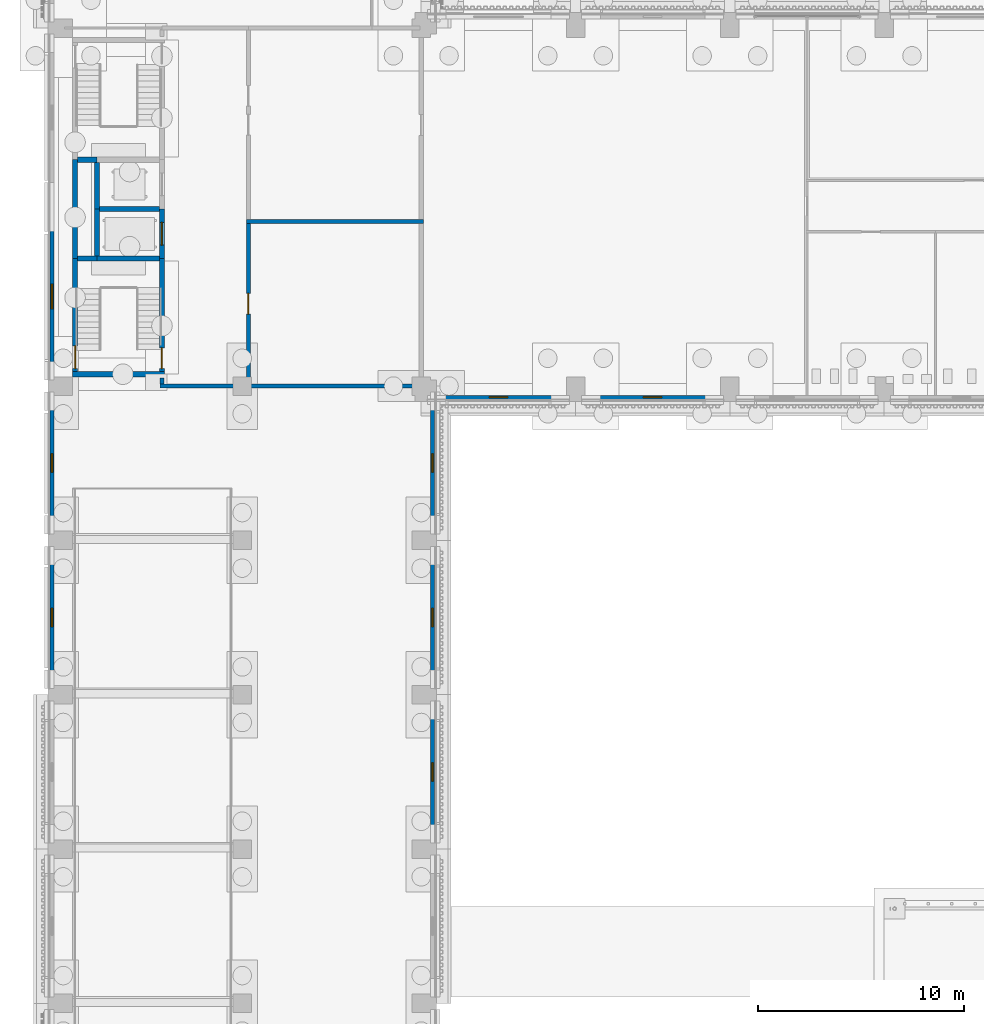
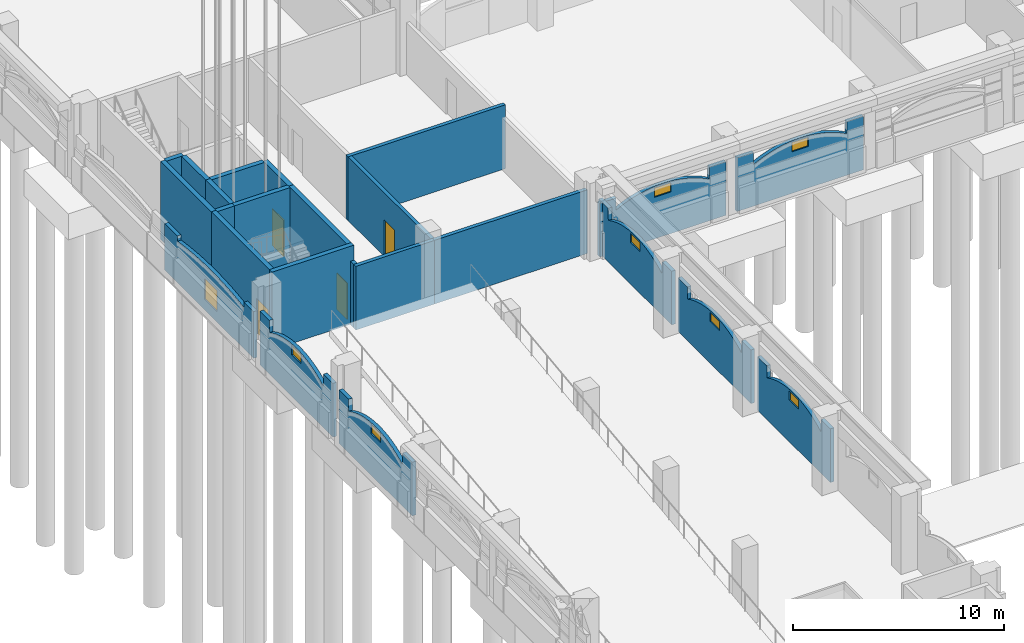
# One storey, part 32 of 99: 24 walls, 8 windows, 4 doors, 12 openings.
"""IFC4 building model written with IfcOpenShell, lengths in metres."""

from ifc_helpers import new_model, si_unit, direction, frame, frame_2d, origin, place, context, subcontext, project, spatial, polyline, rectangle, outline, extrude, material, layer, layer_set, type_object, element, fill, save


model = new_model("IFC4")

# Units and contexts
model_context = context("Model", 3, precision=1e-05, world=origin(), true_north=direction((0.0, 1.0)))
body_context = subcontext(model_context, "Body", "Model", "MODEL_VIEW")
ifc_project = project(units=[si_unit("LENGTHUNIT", "METRE"), si_unit("AREAUNIT", "SQUARE_METRE"), si_unit("VOLUMEUNIT", "CUBIC_METRE"), si_unit("PLANEANGLEUNIT", "RADIAN"), si_unit("MASSUNIT", "GRAM", prefix="KILO")], contexts=[model_context])

# Site, building, storey
site_placement = place(None, origin())
site = spatial("IfcSite", under=ifc_project, at=site_placement, CompositionType="ELEMENT")
building_placement = place(site_placement, origin())
building = spatial("IfcBuilding", under=site, at=building_placement, Name="Cour d'Honneur Mobility Palace", CompositionType="ELEMENT")
storey_placement = place(building_placement, origin())
storey = spatial("IfcBuildingStorey", under=building, at=storey_placement, Name="L00", CompositionType="ELEMENT", Elevation=0.0)

# Wall, opening, window
ifc_material_1 = material(Name="Concrete C40", Category="concrete")
ifc_layer_1 = layer(ifc_material_1, 0.199951171875)
ifc_layer_set_1 = layer_set([ifc_layer_1], Name="Concrete C40")
wall_type_1 = type_object("IfcWallType", Name="Arch infill panel", PredefinedType="SOLIDWALL", material=ifc_layer_set_1)
wall_1_placement = place(storey_placement, frame((17.949951171875, 22.800048828125, 0.0), z_axis=(0.0, 0.0, 1.0), x_axis=(0.0, 1.0, 0.0)))
wall_1 = element("IfcWall", 1, at=wall_1_placement, inside=storey, type_object=wall_type_1, Name="Arch infill panel IP-6", PredefinedType="SOLIDWALL", context=body_context, shape_type="SweptSolid", body=[
    extrude(outline(polyline([(0.0, 0.0), (6.89990234375, 0.0), (6.89990234375, 3.10009765625), (6.001953125, 3.10009765625), (6.0, 2.39990234375), (5.68115234375, 2.560302734375), (5.362548828125, 2.69482421875), (5.043701171875, 2.805908203125), (4.72509765625, 2.895263671875), (4.40625, 2.96337890625), (4.08740234375, 3.01171875), (3.768798828125, 3.04052734375), (3.449951171875, 3.050048828125), (3.13134765625, 3.04052734375), (2.8125, 3.01171875), (2.49365234375, 2.96337890625), (2.175048828125, 2.895263671875), (1.856201171875, 2.805908203125), (1.53759765625, 2.69482421875), (1.21875, 2.560302734375), (0.89990234375, 2.39990234375), (0.89794921875, 3.10009765625), (0.0, 3.10009765625), (0.0, 0.0)])), frame((0.0, 0.10009765625, 0.0), z_axis=(0.0, -1.0, 0.0), x_axis=(1.0, 0.0, 0.0)), (0.0, 0.0, 1.0), 0.199951171875),
])
opening_1_placement = place(wall_1_placement, frame((3.0, 0.0, 2.39990234375)))
opening_1 = element("IfcOpeningElement", 2, at=opening_1_placement, cuts=wall_1, Name="Opening WH-4", PredefinedType="OPENING", context=body_context, shape_type="SweptSolid", body=[
    extrude(rectangle(XDim=0.89990234375, YDim=0.531005859375, at=frame_2d((0.449951171875, 0.265625))), frame((0.0, 0.10986328125, 0.0), z_axis=(0.0, -1.0, 0.0), x_axis=(1.0, 0.0, 0.0)), (0.0, 0.0, 1.0), 0.219970703125),
])
ifc_material_2 = material(Name="Aluminium frame and glass", Category="aluminium")
window_type_1 = type_object("IfcWindowType", Name="High-level window 531", PartitioningType="SINGLE_PANEL", PredefinedType="WINDOW", material=ifc_material_2)
window_1_placement = place(opening_1_placement, origin())
window_1 = element("IfcWindow", 3, at=window_1_placement, inside=storey, type_object=window_type_1, Name="High-level window 531 WH-4", OverallHeight=0.531005859375, OverallWidth=0.89990234375, PartitioningType="SINGLE_PANEL", PredefinedType="WINDOW", context=body_context, shape_type="SweptSolid", body=[
    extrude(rectangle(XDim=0.89990234375, YDim=0.531005859375, at=frame_2d((0.449951171875, 0.265625))), frame((0.0, 0.030029296875, 0.0), z_axis=(0.0, -1.0, 0.0), x_axis=(1.0, 0.0, 0.0)), (0.0, 0.0, 1.0), 0.06005859375),
])
fill(opening_1, window_1)

wall_2_placement = place(storey_placement, frame((17.949951171875, 30.300048828125, 0.0), z_axis=(0.0, 0.0, 1.0), x_axis=(0.0, 1.0, 0.0)))
wall_2 = element("IfcWall", 4, at=wall_2_placement, inside=storey, type_object=wall_type_1, Name="Arch infill panel IP-7", PredefinedType="SOLIDWALL", context=body_context, shape_type="SweptSolid", body=[
    extrude(outline(polyline([(0.0, 0.0), (6.89990234375, 0.0), (6.89990234375, 3.10009765625), (6.001953125, 3.10009765625), (6.0, 2.39990234375), (5.68115234375, 2.560302734375), (5.362548828125, 2.69482421875), (5.043701171875, 2.805908203125), (4.72509765625, 2.895263671875), (4.40625, 2.96337890625), (4.08740234375, 3.01171875), (3.768798828125, 3.04052734375), (3.449951171875, 3.050048828125), (3.13134765625, 3.04052734375), (2.8125, 3.01171875), (2.49365234375, 2.96337890625), (2.175048828125, 2.895263671875), (1.856201171875, 2.805908203125), (1.53759765625, 2.69482421875), (1.21875, 2.560302734375), (0.89990234375, 2.39990234375), (0.89794921875, 3.10009765625), (0.0, 3.10009765625), (0.0, 0.0)])), frame((0.0, 0.10009765625, 0.0), z_axis=(0.0, -1.0, 0.0), x_axis=(1.0, 0.0, 0.0)), (0.0, 0.0, 1.0), 0.199951171875),
])
opening_2_placement = place(wall_2_placement, frame((3.0, 0.0, 2.39990234375)))
opening_2 = element("IfcOpeningElement", 5, at=opening_2_placement, cuts=wall_2, Name="Opening WH-5", PredefinedType="OPENING", context=body_context, shape_type="SweptSolid", body=[
    extrude(rectangle(XDim=0.89990234375, YDim=0.531005859375, at=frame_2d((0.449951171875, 0.265625))), frame((0.0, 0.10986328125, 0.0), z_axis=(0.0, -1.0, 0.0), x_axis=(1.0, 0.0, 0.0)), (0.0, 0.0, 1.0), 0.219970703125),
])
window_2_placement = place(opening_2_placement, origin())
window_2 = element("IfcWindow", 6, at=window_2_placement, inside=storey, type_object=window_type_1, Name="High-level window 531 WH-5", OverallHeight=0.531005859375, OverallWidth=0.89990234375, PartitioningType="SINGLE_PANEL", PredefinedType="WINDOW", context=body_context, shape_type="SweptSolid", body=[
    extrude(rectangle(XDim=0.89990234375, YDim=0.531005859375, at=frame_2d((0.449951171875, 0.265625))), frame((0.0, 0.030029296875, 0.0), z_axis=(0.0, -1.0, 0.0), x_axis=(1.0, 0.0, 0.0)), (0.0, 0.0, 1.0), 0.06005859375),
])
fill(opening_2, window_2)

wall_3_placement = place(storey_placement, frame((17.949951171875, 37.800048828125, 0.0), z_axis=(0.0, 0.0, 1.0), x_axis=(0.0, 1.0, 0.0)))
wall_3 = element("IfcWall", 7, at=wall_3_placement, inside=storey, type_object=wall_type_1, Name="Arch infill panel IP-8", PredefinedType="SOLIDWALL", context=body_context, shape_type="SweptSolid", body=[
    extrude(outline(polyline([(0.0, 0.0), (6.89990234375, 0.0), (6.89990234375, 3.10009765625), (6.001953125, 3.10009765625), (6.0, 2.39990234375), (5.68115234375, 2.560302734375), (5.362548828125, 2.69482421875), (5.043701171875, 2.805908203125), (4.72509765625, 2.895263671875), (4.40625, 2.96337890625), (4.08740234375, 3.01171875), (3.768798828125, 3.04052734375), (3.449951171875, 3.050048828125), (3.13134765625, 3.04052734375), (2.8125, 3.01171875), (2.49365234375, 2.96337890625), (2.175048828125, 2.895263671875), (1.856201171875, 2.805908203125), (1.53759765625, 2.69482421875), (1.21875, 2.560302734375), (0.89990234375, 2.39990234375), (0.89794921875, 3.10009765625), (0.0, 3.10009765625), (0.0, 0.0)])), frame((0.0, 0.10009765625, 0.0), z_axis=(0.0, -1.0, 0.0), x_axis=(1.0, 0.0, 0.0)), (0.0, 0.0, 1.0), 0.199951171875),
])
opening_3_placement = place(wall_3_placement, frame((3.0, 0.0, 2.39990234375)))
opening_3 = element("IfcOpeningElement", 8, at=opening_3_placement, cuts=wall_3, Name="Opening WH-6", PredefinedType="OPENING", context=body_context, shape_type="SweptSolid", body=[
    extrude(rectangle(XDim=0.89990234375, YDim=0.531005859375, at=frame_2d((0.449951171875, 0.265625))), frame((0.0, 0.10986328125, 0.0), z_axis=(0.0, -1.0, 0.0), x_axis=(1.0, 0.0, 0.0)), (0.0, 0.0, 1.0), 0.219970703125),
])
window_3_placement = place(opening_3_placement, origin())
window_3 = element("IfcWindow", 9, at=window_3_placement, inside=storey, type_object=window_type_1, Name="High-level window 531 WH-6", OverallHeight=0.531005859375, OverallWidth=0.89990234375, PartitioningType="SINGLE_PANEL", PredefinedType="WINDOW", context=body_context, shape_type="SweptSolid", body=[
    extrude(rectangle(XDim=0.89990234375, YDim=0.531005859375, at=frame_2d((0.449951171875, 0.265625))), frame((0.0, 0.030029296875, 0.0), z_axis=(0.0, -1.0, 0.0), x_axis=(1.0, 0.0, 0.0)), (0.0, 0.0, 1.0), 0.06005859375),
])
fill(opening_3, window_3)

wall_4_placement = place(storey_placement, frame((17.699951171875, 44.449951171875, 0.0), z_axis=(0.0, 0.0, 1.0), x_axis=(1.0, 0.0, 0.0)))
wall_4 = element("IfcWall", 10, at=wall_4_placement, inside=storey, type_object=wall_type_1, Name="Arch infill panel IP-9", PredefinedType="SOLIDWALL", context=body_context, shape_type="SweptSolid", body=[
    extrude(outline(polyline([(0.0, 0.0), (6.900146484375, 0.0), (6.89990234375, 3.10009765625), (6.001953125, 3.10009765625), (6.0, 2.39990234375), (5.68115234375, 2.560302734375), (5.362548828125, 2.69482421875), (5.043701171875, 2.805908203125), (4.72509765625, 2.895263671875), (4.40625, 2.96337890625), (4.08740234375, 3.01171875), (3.768798828125, 3.04052734375), (3.449951171875, 3.050048828125), (3.13134765625, 3.04052734375), (2.8125, 3.01171875), (2.49365234375, 2.96337890625), (2.175048828125, 2.895263671875), (1.856201171875, 2.805908203125), (1.53759765625, 2.69482421875), (1.21875, 2.560302734375), (0.89990234375, 2.39990234375), (0.89794921875, 3.10009765625), (0.0, 3.10009765625), (0.0, 0.0)])), frame((0.0, 0.10009765625, 0.0), z_axis=(0.0, -1.0, 0.0), x_axis=(1.0, 0.0, 0.0)), (0.0, 0.0, 1.0), 0.199951171875),
])
opening_4_placement = place(wall_4_placement, frame((3.0, 0.0, 2.39990234375)))
opening_4 = element("IfcOpeningElement", 11, at=opening_4_placement, cuts=wall_4, Name="Opening WH-7", PredefinedType="OPENING", context=body_context, shape_type="SweptSolid", body=[
    extrude(rectangle(XDim=0.89990234375, YDim=0.531005859375, at=frame_2d((0.449951171875, 0.265625))), frame((0.0, 0.10986328125, 0.0), z_axis=(0.0, -1.0, 0.0), x_axis=(1.0, 0.0, 0.0)), (0.0, 0.0, 1.0), 0.219970703125),
])
window_4_placement = place(opening_4_placement, origin())
window_4 = element("IfcWindow", 12, at=window_4_placement, inside=storey, type_object=window_type_1, Name="High-level window 531 WH-7", OverallHeight=0.531005859375, OverallWidth=0.89990234375, PartitioningType="SINGLE_PANEL", PredefinedType="WINDOW", context=body_context, shape_type="SweptSolid", body=[
    extrude(rectangle(XDim=0.89990234375, YDim=0.531005859375, at=frame_2d((0.449951171875, 0.265625))), frame((0.0, 0.030029296875, 0.0), z_axis=(0.0, -1.0, 0.0), x_axis=(1.0, 0.0, 0.0)), (0.0, 0.0, 1.0), 0.06005859375),
])
fill(opening_4, window_4)

wall_5_placement = place(storey_placement, frame((25.199951171875, 44.449951171875, 0.0), z_axis=(0.0, 0.0, 1.0), x_axis=(1.0, 0.0, 0.0)))
wall_5 = element("IfcWall", 13, at=wall_5_placement, inside=storey, type_object=wall_type_1, Name="Arch infill panel IP-10", PredefinedType="SOLIDWALL", context=body_context, shape_type="SweptSolid", body=[
    extrude(outline(polyline([(0.0, 0.0), (6.900146484375, 0.0), (6.89990234375, 3.10009765625), (6.001953125, 3.10009765625), (6.0, 2.39990234375), (5.68115234375, 2.560302734375), (5.362548828125, 2.69482421875), (5.043701171875, 2.805908203125), (4.72509765625, 2.895263671875), (4.40625, 2.96337890625), (4.08740234375, 3.01171875), (3.768798828125, 3.04052734375), (3.449951171875, 3.050048828125), (3.13134765625, 3.04052734375), (2.8125, 3.01171875), (2.49365234375, 2.96337890625), (2.175048828125, 2.895263671875), (1.856201171875, 2.805908203125), (1.53759765625, 2.69482421875), (1.21875, 2.560302734375), (0.89990234375, 2.39990234375), (0.89794921875, 3.10009765625), (0.0, 3.10009765625), (0.0, 0.0)])), frame((0.0, 0.10009765625, 0.0), z_axis=(0.0, -1.0, 0.0), x_axis=(1.0, 0.0, 0.0)), (0.0, 0.0, 1.0), 0.199951171875),
])
opening_5_placement = place(wall_5_placement, frame((3.0, 0.0, 2.39990234375)))
opening_5 = element("IfcOpeningElement", 14, at=opening_5_placement, cuts=wall_5, Name="Opening WH-8", PredefinedType="OPENING", context=body_context, shape_type="SweptSolid", body=[
    extrude(rectangle(XDim=0.89990234375, YDim=0.531005859375, at=frame_2d((0.449951171875, 0.265625))), frame((0.0, 0.10986328125, 0.0), z_axis=(0.0, -1.0, 0.0), x_axis=(1.0, 0.0, 0.0)), (0.0, 0.0, 1.0), 0.219970703125),
])
window_5_placement = place(opening_5_placement, origin())
window_5 = element("IfcWindow", 15, at=window_5_placement, inside=storey, type_object=window_type_1, Name="High-level window 531 WH-8", OverallHeight=0.531005859375, OverallWidth=0.89990234375, PartitioningType="SINGLE_PANEL", PredefinedType="WINDOW", context=body_context, shape_type="SweptSolid", body=[
    extrude(rectangle(XDim=0.89990234375, YDim=0.531005859375, at=frame_2d((0.449951171875, 0.265625))), frame((0.0, 0.030029296875, 0.0), z_axis=(0.0, -1.0, 0.0), x_axis=(1.0, 0.0, 0.0)), (0.0, 0.0, 1.0), 0.06005859375),
])
fill(opening_5, window_5)

wall_6_placement = place(storey_placement, frame((-0.550048828125, 53.699951171875, 0.0), z_axis=(0.0, 0.0, 1.0), x_axis=(0.0, -1.0, 0.0)))
wall_6 = element("IfcWall", 16, at=wall_6_placement, inside=storey, type_object=wall_type_1, Name="Arch infill panel IP-105", PredefinedType="SOLIDWALL", context=body_context, shape_type="SweptSolid", body=[
    extrude(outline(polyline([(0.0, 0.0), (8.39990234375, 0.0), (8.39990234375, 2.699951171875), (7.501953125, 2.699951171875), (7.5, 2.39990234375), (7.106201171875, 2.458984375), (6.71240234375, 2.509765625), (6.31884765625, 2.552734375), (5.925048828125, 2.587890625), (5.53125, 2.614990234375), (5.137451171875, 2.634521484375), (4.74365234375, 2.64599609375), (4.35009765625, 2.64990234375), (3.956298828125, 2.64599609375), (3.5625, 2.634521484375), (3.168701171875, 2.614990234375), (2.77490234375, 2.587890625), (2.38134765625, 2.552734375), (1.987548828125, 2.509765625), (1.59375, 2.458984375), (1.199951171875, 2.39990234375), (1.197998046875, 2.699951171875), (0.0, 2.699951171875), (0.0, 0.0)])), frame((0.0, 0.10009765625, 0.0), z_axis=(0.0, -1.0, 0.0), x_axis=(1.0, 0.0, 0.0)), (0.0, 0.0, 1.0), 0.199951171875),
])
opening_6_placement = place(wall_6_placement, frame((3.75, 0.0, 0.60009765625)))
opening_6 = element("IfcOpeningElement", 17, at=opening_6_placement, cuts=wall_6, Name="Opening WP-11", PredefinedType="OPENING", context=body_context, shape_type="SweptSolid", body=[
    extrude(rectangle(XDim=1.199951171875, YDim=1.199951171875, at=frame_2d((0.60009765625, 0.60009765625))), frame((0.0, 0.10986328125, 0.0), z_axis=(0.0, -1.0, 0.0), x_axis=(1.0, 0.0, 0.0)), (0.0, 0.0, 1.0), 0.219970703125),
])
ifc_material_3 = material(Name="Aluminium frame and glass", Category="aluminium")
window_type_2 = type_object("IfcWindowType", Name="Pavilion window W-PV", PartitioningType="SINGLE_PANEL", PredefinedType="WINDOW", material=ifc_material_3)
window_6_placement = place(opening_6_placement, origin())
window_6 = element("IfcWindow", 18, at=window_6_placement, inside=storey, type_object=window_type_2, Name="Pavilion window W-PV WP-11", OverallHeight=1.199951171875, OverallWidth=1.199951171875, PartitioningType="SINGLE_PANEL", PredefinedType="WINDOW", context=body_context, shape_type="SweptSolid", body=[
    extrude(rectangle(XDim=1.199951171875, YDim=1.199951171875, at=frame_2d((0.60009765625, 0.60009765625))), frame((0.0, 0.030029296875, 0.0), z_axis=(0.0, -1.0, 0.0), x_axis=(1.0, 0.0, 0.0)), (0.0, 0.0, 1.0), 0.06005859375),
])
fill(opening_6, window_6)

wall_7_placement = place(storey_placement, frame((-0.550048828125, 44.699951171875, 0.0), z_axis=(0.0, 0.0, 1.0), x_axis=(0.0, -1.0, 0.0)))
wall_7 = element("IfcWall", 19, at=wall_7_placement, inside=storey, type_object=wall_type_1, Name="Arch infill panel IP-106", PredefinedType="SOLIDWALL", context=body_context, shape_type="SweptSolid", body=[
    extrude(outline(polyline([(0.0, 0.0), (6.89990234375, 0.0), (6.89990234375, 3.10009765625), (6.001953125, 3.10009765625), (6.0, 2.39990234375), (5.68115234375, 2.560302734375), (5.362548828125, 2.69482421875), (5.043701171875, 2.805908203125), (4.72509765625, 2.895263671875), (4.40625, 2.96337890625), (4.08740234375, 3.01171875), (3.768798828125, 3.04052734375), (3.449951171875, 3.050048828125), (3.13134765625, 3.04052734375), (2.8125, 3.01171875), (2.49365234375, 2.96337890625), (2.175048828125, 2.895263671875), (1.856201171875, 2.805908203125), (1.53759765625, 2.69482421875), (1.21875, 2.560302734375), (0.89990234375, 2.39990234375), (0.89794921875, 3.10009765625), (0.0, 3.10009765625), (0.0, 0.0)])), frame((0.0, 0.10009765625, 0.0), z_axis=(0.0, -1.0, 0.0), x_axis=(1.0, 0.0, 0.0)), (0.0, 0.0, 1.0), 0.199951171875),
])
opening_7_placement = place(wall_7_placement, frame((3.0, 0.0, 2.39990234375)))
opening_7 = element("IfcOpeningElement", 20, at=opening_7_placement, cuts=wall_7, Name="Opening WH-39", PredefinedType="OPENING", context=body_context, shape_type="SweptSolid", body=[
    extrude(rectangle(XDim=0.89990234375, YDim=0.531005859375, at=frame_2d((0.449951171875, 0.265625))), frame((0.0, 0.10986328125, 0.0), z_axis=(0.0, -1.0, 0.0), x_axis=(1.0, 0.0, 0.0)), (0.0, 0.0, 1.0), 0.219970703125),
])
window_7_placement = place(opening_7_placement, origin())
window_7 = element("IfcWindow", 21, at=window_7_placement, inside=storey, type_object=window_type_1, Name="High-level window 531 WH-39", OverallHeight=0.531005859375, OverallWidth=0.89990234375, PartitioningType="SINGLE_PANEL", PredefinedType="WINDOW", context=body_context, shape_type="SweptSolid", body=[
    extrude(rectangle(XDim=0.89990234375, YDim=0.531005859375, at=frame_2d((0.449951171875, 0.265625))), frame((0.0, 0.030029296875, 0.0), z_axis=(0.0, -1.0, 0.0), x_axis=(1.0, 0.0, 0.0)), (0.0, 0.0, 1.0), 0.06005859375),
])
fill(opening_7, window_7)

wall_8_placement = place(storey_placement, frame((-0.550048828125, 37.199951171875, 0.0), z_axis=(0.0, 0.0, 1.0), x_axis=(0.0, -1.0, 0.0)))
wall_8 = element("IfcWall", 22, at=wall_8_placement, inside=storey, type_object=wall_type_1, Name="Arch infill panel IP-107", PredefinedType="SOLIDWALL", context=body_context, shape_type="SweptSolid", body=[
    extrude(outline(polyline([(0.0, 0.0), (6.89990234375, 0.0), (6.89990234375, 3.10009765625), (6.001953125, 3.10009765625), (6.0, 2.39990234375), (5.68115234375, 2.560302734375), (5.362548828125, 2.69482421875), (5.043701171875, 2.805908203125), (4.72509765625, 2.895263671875), (4.40625, 2.96337890625), (4.08740234375, 3.01171875), (3.768798828125, 3.04052734375), (3.449951171875, 3.050048828125), (3.13134765625, 3.04052734375), (2.8125, 3.01171875), (2.49365234375, 2.96337890625), (2.175048828125, 2.895263671875), (1.856201171875, 2.805908203125), (1.53759765625, 2.69482421875), (1.21875, 2.560302734375), (0.89990234375, 2.39990234375), (0.89794921875, 3.10009765625), (0.0, 3.10009765625), (0.0, 0.0)])), frame((0.0, 0.10009765625, 0.0), z_axis=(0.0, -1.0, 0.0), x_axis=(1.0, 0.0, 0.0)), (0.0, 0.0, 1.0), 0.199951171875),
])
opening_8_placement = place(wall_8_placement, frame((3.0, 0.0, 2.39990234375)))
opening_8 = element("IfcOpeningElement", 23, at=opening_8_placement, cuts=wall_8, Name="Opening WH-40", PredefinedType="OPENING", context=body_context, shape_type="SweptSolid", body=[
    extrude(rectangle(XDim=0.89990234375, YDim=0.531005859375, at=frame_2d((0.449951171875, 0.265625))), frame((0.0, 0.10986328125, 0.0), z_axis=(0.0, -1.0, 0.0), x_axis=(1.0, 0.0, 0.0)), (0.0, 0.0, 1.0), 0.219970703125),
])
window_8_placement = place(opening_8_placement, origin())
window_8 = element("IfcWindow", 24, at=window_8_placement, inside=storey, type_object=window_type_1, Name="High-level window 531 WH-40", OverallHeight=0.531005859375, OverallWidth=0.89990234375, PartitioningType="SINGLE_PANEL", PredefinedType="WINDOW", context=body_context, shape_type="SweptSolid", body=[
    extrude(rectangle(XDim=0.89990234375, YDim=0.531005859375, at=frame_2d((0.449951171875, 0.265625))), frame((0.0, 0.030029296875, 0.0), z_axis=(0.0, -1.0, 0.0), x_axis=(1.0, 0.0, 0.0)), (0.0, 0.0, 1.0), 0.06005859375),
])
fill(opening_8, window_8)

# Walls
ifc_material_4 = material(Name="Concrete C50", Category="concrete")
ifc_layer_2 = layer(ifc_material_4, 0.25)
ifc_layer_set_2 = layer_set([ifc_layer_2], Name="Concrete C50")
wall_type_2 = type_object("IfcWallType", Name="Lift shaft wall 250", PredefinedType="SHEAR", material=ifc_layer_set_2)
wall_9_placement = place(storey_placement, frame((1.77490234375, 53.60009765625, -1.39990234375), z_axis=(0.0, 0.0, 1.0), x_axis=(1.0, 0.0, 0.0)))
element("IfcWall", 25, at=wall_9_placement, inside=storey, type_object=wall_type_2, Name="Lift shaft wall WL-CW4 L00", PredefinedType="SHEAR", context=body_context, shape_type="SweptSolid", body=[
    extrude(rectangle(XDim=2.900146484375, YDim=0.25, at=frame_2d((1.4501953125, 0.0))), origin(), (0.0, 0.0, 1.0), 5.89990234375),
])
wall_10_placement = place(storey_placement, frame((1.64990234375, 51.324951171875, -1.39990234375), z_axis=(0.0, 0.0, 1.0), x_axis=(0.0, 1.0, 0.0)))
element("IfcWall", 26, at=wall_10_placement, inside=storey, type_object=wall_type_2, Name="Lift shaft wall WL-CW11 L00", PredefinedType="SHEAR", context=body_context, shape_type="SweptSolid", body=[
    extrude(rectangle(XDim=2.275146484375, YDim=0.25, at=frame_2d((1.1376953125, 0.0))), origin(), (0.0, 0.0, 1.0), 5.89990234375),
])
wall_11_placement = place(storey_placement, frame((1.64990234375, 53.60009765625, -1.39990234375), z_axis=(0.0, 0.0, 1.0), x_axis=(0.0, 1.0, 0.0)))
element("IfcWall", 27, at=wall_11_placement, inside=storey, type_object=wall_type_2, Name="Lift shaft wall WL-CW12 L00", PredefinedType="SHEAR", context=body_context, shape_type="SweptSolid", body=[
    extrude(rectangle(XDim=2.27490234375, YDim=0.25, at=frame_2d((1.137451171875, 0.0))), origin(), (0.0, 0.0, 1.0), 5.89990234375),
])

# Wall, opening, door
wall_12_placement = place(storey_placement, frame((4.800048828125, 51.199951171875, -1.39990234375), z_axis=(0.0, 0.0, 1.0), x_axis=(0.0, 1.0, 0.0)))
wall_12 = element("IfcWall", 28, at=wall_12_placement, inside=storey, type_object=wall_type_2, Name="Lift shaft wall WL-CW14 L00", PredefinedType="SHEAR", context=body_context, shape_type="SweptSolid", body=[
    extrude(rectangle(XDim=2.400146484375, YDim=0.25, at=frame_2d((1.2001953125, 0.0))), origin(), (0.0, 0.0, 1.0), 5.89990234375),
])
opening_9_placement = place(wall_12_placement, frame((0.64990234375, 0.0, 1.39990234375)))
opening_9 = element("IfcOpeningElement", 29, at=opening_9_placement, cuts=wall_12, Name="Opening LD1", PredefinedType="OPENING", context=body_context, shape_type="SweptSolid", body=[
    extrude(rectangle(XDim=1.10009765625, YDim=2.10009765625, at=frame_2d((0.550048828125, 1.050048828125))), frame((0.0, 0.135009765625, 0.0), z_axis=(0.0, -1.0, 0.0), x_axis=(1.0, 0.0, 0.0)), (0.0, 0.0, 1.0), 0.27001953125),
])
ifc_material_5 = material(Name="Stainless steel", Category="steel")
door_type_1 = type_object("IfcDoorType", Name="Landing door 1100 x 2100", OperationType="SLIDING_TO_LEFT", PredefinedType="DOOR", material=ifc_material_5)
door_1_placement = place(opening_9_placement, origin())
door_1 = element("IfcDoor", 30, at=door_1_placement, inside=storey, type_object=door_type_1, Name="Landing door LF-CW1 L00", OperationType="SLIDING_TO_LEFT", OverallHeight=2.10009765625, OverallWidth=1.10009765625, PredefinedType="DOOR", context=body_context, shape_type="SweptSolid", body=[
    extrude(rectangle(XDim=1.10009765625, YDim=2.10009765625, at=frame_2d((0.550048828125, 1.050048828125))), frame((0.0, 0.02490234375, 0.0), z_axis=(0.0, -1.0, 0.0), x_axis=(1.0, 0.0, 0.0)), (0.0, 0.0, 1.0), 0.050048828125),
])
fill(opening_9, door_1)

# Walls
ifc_material_6 = material(Name="Gypsum plasterboard")
ifc_layer_3 = layer(ifc_material_6, 0.199951171875)
ifc_layer_set_3 = layer_set([ifc_layer_3], Name="Gypsum plasterboard")
wall_type_3 = type_object("IfcWallType", Name="Partition 200 rated EI 120", PredefinedType="PARTITIONING", material=ifc_layer_set_3)
wall_13_placement = place(storey_placement, frame((4.699951171875, 45.0, 0.0), z_axis=(0.0, 0.0, 1.0), x_axis=(1.0, 0.0, 0.0)))
element("IfcWall", 31, at=wall_13_placement, inside=storey, type_object=wall_type_3, Name="Partition 023", PredefinedType="PARTITIONING", context=body_context, shape_type="SweptSolid", body=[
    extrude(rectangle(XDim=4.300048828125, YDim=0.199951171875, at=frame_2d((2.14990234375, 0.0))), origin(), (0.0, 0.0, 1.0), 3.679931640625),
])
wall_14_placement = place(storey_placement, frame((9.0, 45.0, 0.0), z_axis=(0.0, 0.0, 1.0), x_axis=(1.0, 0.0, 0.0)))
element("IfcWall", 32, at=wall_14_placement, inside=storey, type_object=wall_type_3, Name="Partition 024", PredefinedType="PARTITIONING", context=body_context, shape_type="SweptSolid", body=[
    extrude(rectangle(XDim=8.340087890625, YDim=0.199951171875, at=frame_2d((4.169921875, 0.0))), origin(), (0.0, 0.0, 1.0), 3.679931640625),
])

# Wall, opening, door
wall_15_placement = place(storey_placement, frame((9.0, 45.10009765625, 0.0), z_axis=(0.0, 0.0, 1.0), x_axis=(0.0, 1.0, 0.0)))
wall_15 = element("IfcWall", 33, at=wall_15_placement, inside=storey, type_object=wall_type_3, Name="Partition 025", PredefinedType="PARTITIONING", context=body_context, shape_type="SweptSolid", body=[
    extrude(rectangle(XDim=7.7998046875, YDim=0.199951171875, at=frame_2d((3.89990234375, 0.0))), origin(), (0.0, 0.0, 1.0), 3.679931640625),
])
opening_10_placement = place(wall_15_placement, frame((3.39990234375, 0.0, 0.0)))
opening_10 = element("IfcOpeningElement", 34, at=opening_10_placement, cuts=wall_15, Name="Opening D0011", PredefinedType="OPENING", context=body_context, shape_type="SweptSolid", body=[
    extrude(rectangle(XDim=1.0, YDim=2.10009765625, at=frame_2d((0.5, 1.050048828125))), frame((0.0, 0.10986328125, 0.0), z_axis=(0.0, -1.0, 0.0), x_axis=(1.0, 0.0, 0.0)), (0.0, 0.0, 1.0), 0.219970703125),
])
ifc_material_7 = material(Name="Galvanised steel", Category="steel")
door_type_2 = type_object("IfcDoorType", Name="Fire door FD120 1000 x 2100", OperationType="SINGLE_SWING_LEFT", PredefinedType="DOOR", material=ifc_material_7)
door_2_placement = place(opening_10_placement, origin())
door_2 = element("IfcDoor", 35, at=door_2_placement, inside=storey, type_object=door_type_2, Name="Door Main LV Room", OperationType="SINGLE_SWING_LEFT", OverallHeight=2.10009765625, OverallWidth=1.0, PredefinedType="DOOR", context=body_context, shape_type="SweptSolid", body=[
    extrude(rectangle(XDim=1.0, YDim=2.10009765625, at=frame_2d((0.5, 1.050048828125))), frame((0.0, 0.02490234375, 0.0), z_axis=(0.0, -1.0, 0.0), x_axis=(1.0, 0.0, 0.0)), (0.0, 0.0, 1.0), 0.050048828125),
])
fill(opening_10, door_2)

# Walls
wall_16_placement = place(storey_placement, frame((4.800048828125, 45.39990234375, 0.0), z_axis=(0.0, 0.0, 1.0), x_axis=(0.0, -1.0, 0.0)))
element("IfcWall", 36, at=wall_16_placement, inside=storey, type_object=wall_type_3, Name="Partition 041", PredefinedType="PARTITIONING", context=body_context, shape_type="SweptSolid", body=[
    extrude(rectangle(XDim=0.2998046875, YDim=0.199951171875, at=frame_2d((0.14990234375, 0.0))), origin(), (0.0, 0.0, 1.0), 3.679931640625),
])
wall_17_placement = place(storey_placement, frame((17.5, 53.0, 0.0), z_axis=(0.0, 0.0, 1.0), x_axis=(-1.0, 0.0, 0.0)))
element("IfcWall", 37, at=wall_17_placement, inside=storey, type_object=wall_type_3, Name="Partition 065", PredefinedType="PARTITIONING", context=body_context, shape_type="SweptSolid", body=[
    extrude(rectangle(XDim=8.60009765625, YDim=0.199951171875, at=frame_2d((4.300048828125, 0.0))), origin(), (0.0, 0.0, 1.0), 3.679931640625),
])
ifc_material_8 = material(Name="Concrete C50", Category="concrete")
ifc_layer_4 = layer(ifc_material_8, 0.25)
ifc_layer_set_4 = layer_set([ifc_layer_4], Name="Concrete C50")
wall_type_4 = type_object("IfcWallType", Name="Shaft wall 250", PredefinedType="SHEAR", material=ifc_layer_set_4)
wall_18_placement = place(storey_placement, frame((0.574951171875, 51.199951171875, 0.0), z_axis=(0.0, 0.0, 1.0), x_axis=(0.0, 1.0, 0.0)))
element("IfcWall", 38, at=wall_18_placement, inside=storey, type_object=wall_type_4, Name="Shaft wall WR-CW9 L00", PredefinedType="SHEAR", context=body_context, shape_type="SweptSolid", body=[
    extrude(rectangle(XDim=4.800048828125, YDim=0.25, at=frame_2d((2.39990234375, 0.0))), origin(), (0.0, 0.0, 1.0), 4.5),
])
ifc_material_9 = material(Name="Concrete C50", Category="concrete")
ifc_layer_5 = layer(ifc_material_9, 0.25)
ifc_layer_set_5 = layer_set([ifc_layer_5], Name="Concrete C50")
wall_type_5 = type_object("IfcWallType", Name="Stair wall 250", PredefinedType="SHEAR", material=ifc_layer_set_5)
wall_19_placement = place(storey_placement, frame((0.449951171875, 45.574951171875, 0.0), z_axis=(0.0, 0.0, 1.0), x_axis=(1.0, 0.0, 0.0)))
element("IfcWall", 39, at=wall_19_placement, inside=storey, type_object=wall_type_5, Name="Stair wall WS-CW1 L00", PredefinedType="SHEAR", context=body_context, shape_type="SweptSolid", body=[
    extrude(rectangle(XDim=4.47509765625, YDim=0.25, at=frame_2d((2.237548828125, 0.0))), origin(), (0.0, 0.0, 1.0), 4.5),
])
wall_20_placement = place(storey_placement, frame((0.699951171875, 51.199951171875, 0.0), z_axis=(0.0, 0.0, 1.0), x_axis=(1.0, 0.0, 0.0)))
element("IfcWall", 40, at=wall_20_placement, inside=storey, type_object=wall_type_5, Name="Stair wall WS-CW2 L00", PredefinedType="SHEAR", context=body_context, shape_type="SweptSolid", body=[
    extrude(rectangle(XDim=0.949951171875, YDim=0.25, at=frame_2d((0.47509765625, 0.0))), origin(), (0.0, 0.0, 1.0), 4.5),
])
wall_21_placement = place(storey_placement, frame((1.64990234375, 51.199951171875, 0.0), z_axis=(0.0, 0.0, 1.0), x_axis=(1.0, 0.0, 0.0)))
element("IfcWall", 41, at=wall_21_placement, inside=storey, type_object=wall_type_5, Name="Stair wall WS-CW3 L00", PredefinedType="SHEAR", context=body_context, shape_type="SweptSolid", body=[
    extrude(rectangle(XDim=3.025146484375, YDim=0.25, at=frame_2d((1.5126953125, 0.0))), origin(), (0.0, 0.0, 1.0), 4.5),
])
wall_22_placement = place(storey_placement, frame((0.699951171875, 56.0, 0.0), z_axis=(0.0, 0.0, 1.0), x_axis=(1.0, 0.0, 0.0)))
element("IfcWall", 42, at=wall_22_placement, inside=storey, type_object=wall_type_5, Name="Stair wall WS-CW5 L00", PredefinedType="SHEAR", context=body_context, shape_type="SweptSolid", body=[
    extrude(rectangle(XDim=0.949951171875, YDim=0.25, at=frame_2d((0.47509765625, 0.0))), origin(), (0.0, 0.0, 1.0), 4.5),
])

# Wall, opening, door
wall_23_placement = place(storey_placement, frame((0.574951171875, 45.699951171875, 0.0), z_axis=(0.0, 0.0, 1.0), x_axis=(0.0, 1.0, 0.0)))
wall_23 = element("IfcWall", 43, at=wall_23_placement, inside=storey, type_object=wall_type_5, Name="Stair wall WS-CW8 L00", PredefinedType="SHEAR", context=body_context, shape_type="SweptSolid", body=[
    extrude(rectangle(XDim=5.5, YDim=0.25, at=frame_2d((2.75, 0.0))), origin(), (0.0, 0.0, 1.0), 4.5),
])
opening_11_placement = place(wall_23_placement, frame((0.14990234375, 0.0, 0.0)))
opening_11 = element("IfcOpeningElement", 44, at=opening_11_placement, cuts=wall_23, Name="Opening D3-7", PredefinedType="OPENING", context=body_context, shape_type="SweptSolid", body=[
    extrude(rectangle(XDim=1.10009765625, YDim=2.10009765625, at=frame_2d((0.550048828125, 1.050048828125))), frame((0.0, 0.135009765625, 0.0), z_axis=(0.0, -1.0, 0.0), x_axis=(1.0, 0.0, 0.0)), (0.0, 0.0, 1.0), 0.27001953125),
])
ifc_material_10 = material(Name="Painted steel", Category="steel")
door_type_3 = type_object("IfcDoorType", Name="Exit door 1100", OperationType="SINGLE_SWING_LEFT", PredefinedType="DOOR", material=ifc_material_10)
door_3_placement = place(opening_11_placement, origin())
door_3 = element("IfcDoor", 45, at=door_3_placement, inside=storey, type_object=door_type_3, Name="Exit door 1100 D3-7", OperationType="SINGLE_SWING_RIGHT", OverallHeight=2.10009765625, OverallWidth=1.10009765625, PredefinedType="DOOR", context=body_context, shape_type="SweptSolid", body=[
    extrude(rectangle(XDim=1.10009765625, YDim=2.10009765625, at=frame_2d((0.550048828125, 1.050048828125))), frame((0.0, 0.02490234375, 0.0), z_axis=(0.0, -1.0, 0.0), x_axis=(1.0, 0.0, 0.0)), (0.0, 0.0, 1.0), 0.050048828125),
])
fill(opening_11, door_3)

wall_24_placement = place(storey_placement, frame((4.800048828125, 45.699951171875, 0.0), z_axis=(0.0, 0.0, 1.0), x_axis=(0.0, 1.0, 0.0)))
wall_24 = element("IfcWall", 46, at=wall_24_placement, inside=storey, type_object=wall_type_5, Name="Stair wall WS-CW13 L00", PredefinedType="SHEAR", context=body_context, shape_type="SweptSolid", body=[
    extrude(rectangle(XDim=5.5, YDim=0.25, at=frame_2d((2.75, 0.0))), origin(), (0.0, 0.0, 1.0), 4.5),
])
opening_12_placement = place(wall_24_placement, frame((0.14990234375, 0.0, 0.0)))
opening_12 = element("IfcOpeningElement", 47, at=opening_12_placement, cuts=wall_24, Name="Opening S129", PredefinedType="OPENING", context=body_context, shape_type="SweptSolid", body=[
    extrude(rectangle(XDim=1.0, YDim=2.10009765625, at=frame_2d((0.5, 1.050048828125))), frame((0.0, 0.135009765625, 0.0), z_axis=(0.0, -1.0, 0.0), x_axis=(1.0, 0.0, 0.0)), (0.0, 0.0, 1.0), 0.27001953125),
])
ifc_material_11 = material(Name="Galvanised steel", Category="steel")
door_type_4 = type_object("IfcDoorType", Name="Fire door FD120 stair 1000 x 2100", OperationType="SINGLE_SWING_LEFT", PredefinedType="DOOR", material=ifc_material_11)
door_4_placement = place(opening_12_placement, origin())
door_4 = element("IfcDoor", 48, at=door_4_placement, inside=storey, type_object=door_type_4, Name="Stair door ST-CW1 L00", OperationType="SINGLE_SWING_RIGHT", OverallHeight=2.10009765625, OverallWidth=1.0, PredefinedType="DOOR", context=body_context, shape_type="SweptSolid", body=[
    extrude(rectangle(XDim=1.0, YDim=2.10009765625, at=frame_2d((0.5, 1.050048828125))), frame((0.0, 0.02490234375, 0.0), z_axis=(0.0, -1.0, 0.0), x_axis=(1.0, 0.0, 0.0)), (0.0, 0.0, 1.0), 0.050048828125),
])
fill(opening_12, door_4)

save(model, "model.ifc")
